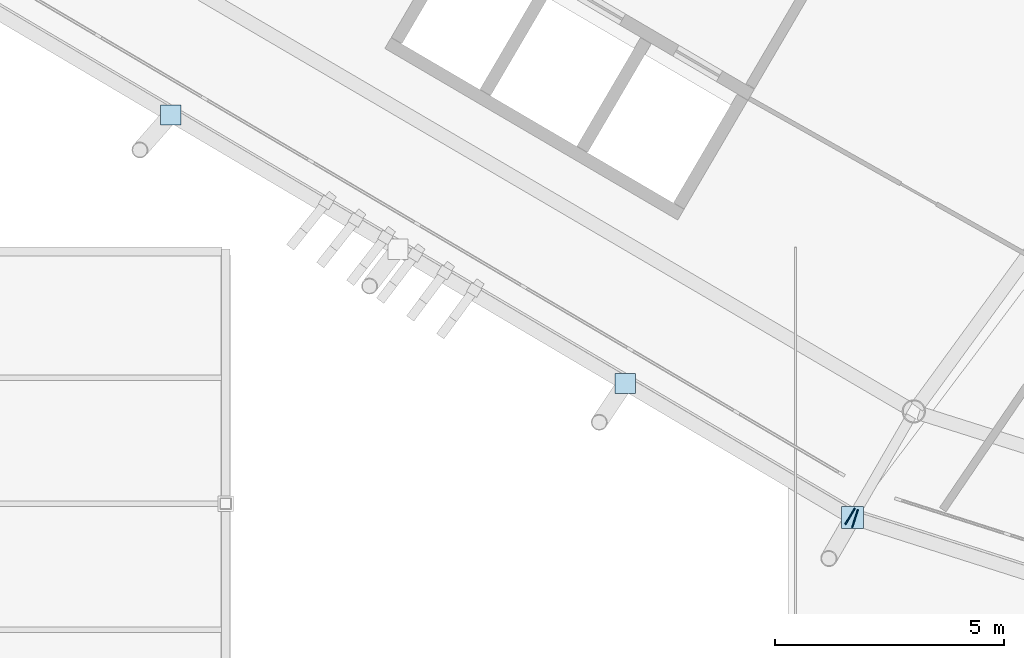
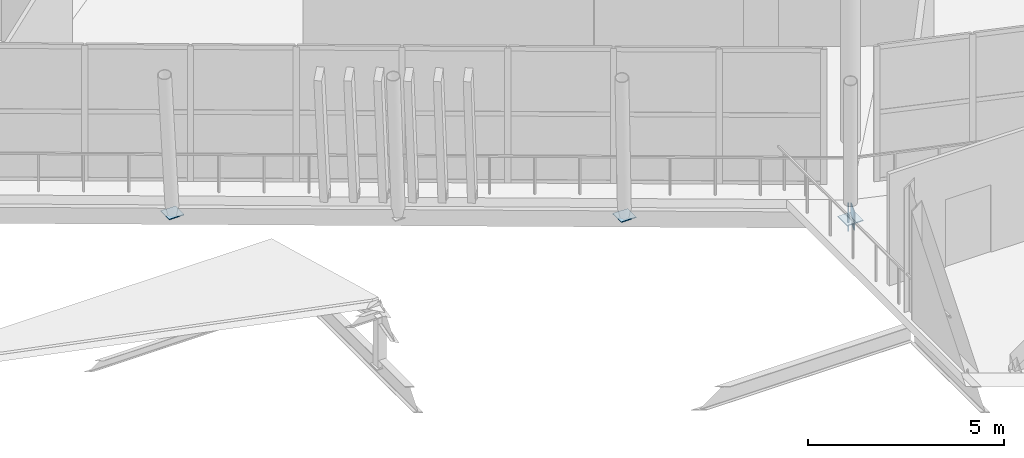
# One storey, part 104 of 179: 5 plates.
"""IFC4 building model written with IfcOpenShell, lengths in metres."""

from ifc_helpers import new_model, si_unit, direction, frame, origin, origin_2d, place, context, subcontext, project, spatial, rectangle, extrude, material, layer, layer_set, type_object, element, save


model = new_model("IFC4")

# Units and contexts
model_context = context("Model", 3, precision=1e-05, world=origin(), true_north=direction((0.0, 1.0)))
body_context = subcontext(model_context, "Body", "Model", "MODEL_VIEW")
ifc_project = project(units=[si_unit("LENGTHUNIT", "METRE"), si_unit("AREAUNIT", "SQUARE_METRE"), si_unit("VOLUMEUNIT", "CUBIC_METRE"), si_unit("PLANEANGLEUNIT", "RADIAN"), si_unit("MASSUNIT", "GRAM", prefix="KILO")], contexts=[model_context])

# Site, building, storey
site_placement = place(None, origin())
site = spatial("IfcSite", under=ifc_project, at=site_placement, CompositionType="ELEMENT")
building_placement = place(site_placement, origin())
building = spatial("IfcBuilding", under=site, at=building_placement, Name="Zlatoyarsky Gate Stadium", CompositionType="ELEMENT")
storey_placement = place(building_placement, frame((0.0, 0.0, 10.60009765625)))
storey = spatial("IfcBuildingStorey", under=building, at=storey_placement, Name="L02", CompositionType="ELEMENT", Elevation=10.60009765625)

# Plates
ifc_material = material(Name="Steel S355", Category="steel")
ifc_layer = layer(ifc_material, 0.02392578125)
ifc_layer_set = layer_set([ifc_layer], Name="Steel S355")
plate_type = type_object("IfcPlateType", Name="STEEL HOLLOW CHORD SPLICE SHEET 24", PredefinedType="SHEET", material=ifc_layer_set)
for number, where, z_axis, x_axis, name in (
    (1, (63.1103515625, 16.225341796875, -0.830078125), (0.0, 0.0, 1.0), (0.86093457238, -0.508715698678, 0.0), "Hollow end cap ND-SP1 CAP-L02-SPD-15 B"),
    (2, (63.21923828125, 16.176513671875, -0.830078125), (0.0, 0.0, 1.0), (0.952708915846, -0.303884388653, 0.0), "Hollow end cap ND-SP1 CAP-L02-SPD-16 A"),
):
    element("IfcPlate", number, at=place(storey_placement, frame(where, z_axis=z_axis, x_axis=x_axis)), inside=storey, type_object=plate_type, Name=name, PredefinedType="SHEET", context=body_context, shape_type="SweptSolid", body=[
        extrude(rectangle(XDim=0.02392578125, YDim=0.39990234375, at=origin_2d()), origin(), (0.0, 0.0, 1.0), 0.60009765625),
    ])
plate_placement = place(storey_placement, frame((63.162109375, 16.19482421875, -0.592041015625), z_axis=(0.0, 0.0, 1.0), x_axis=(1.0, 0.0, 0.0)))
element("IfcPlate", 3, at=plate_placement, inside=storey, type_object=plate_type, Name="Node closure plate ND-SP1 NCAP-L02-RSTR-16", PredefinedType="SHEET", context=body_context, shape_type="SweptSolid", body=[
    extrude(rectangle(XDim=0.47998046875, YDim=0.47998046875, at=origin_2d()), origin(), (0.0, 0.0, 1.0), 0.02392578125),
])
for number, where, z_axis, x_axis, name in (
    (4, (48.30078125, 24.976318359375, -0.5419921875), (0.0, 0.0, 1.0), (1.0, 0.0, 0.0), "Node closure plate ND-SP1 NCAP-RIB-15-1-0T"),
    (5, (58.208251953125, 19.121826171875, -0.5419921875), (0.0, 0.0, 1.0), (1.0, 0.0, 0.0), "Node closure plate ND-SP1 NCAP-RIB-15-3-0T"),
):
    element("IfcPlate", number, at=place(storey_placement, frame(where, z_axis=z_axis, x_axis=x_axis)), inside=storey, type_object=plate_type, Name=name, PredefinedType="SHEET", context=body_context, shape_type="SweptSolid", body=[
        extrude(rectangle(XDim=0.43994140625, YDim=0.43994140625, at=origin_2d()), origin(), (0.0, 0.0, 1.0), 0.02392578125),
    ])

save(model, "model.ifc")
